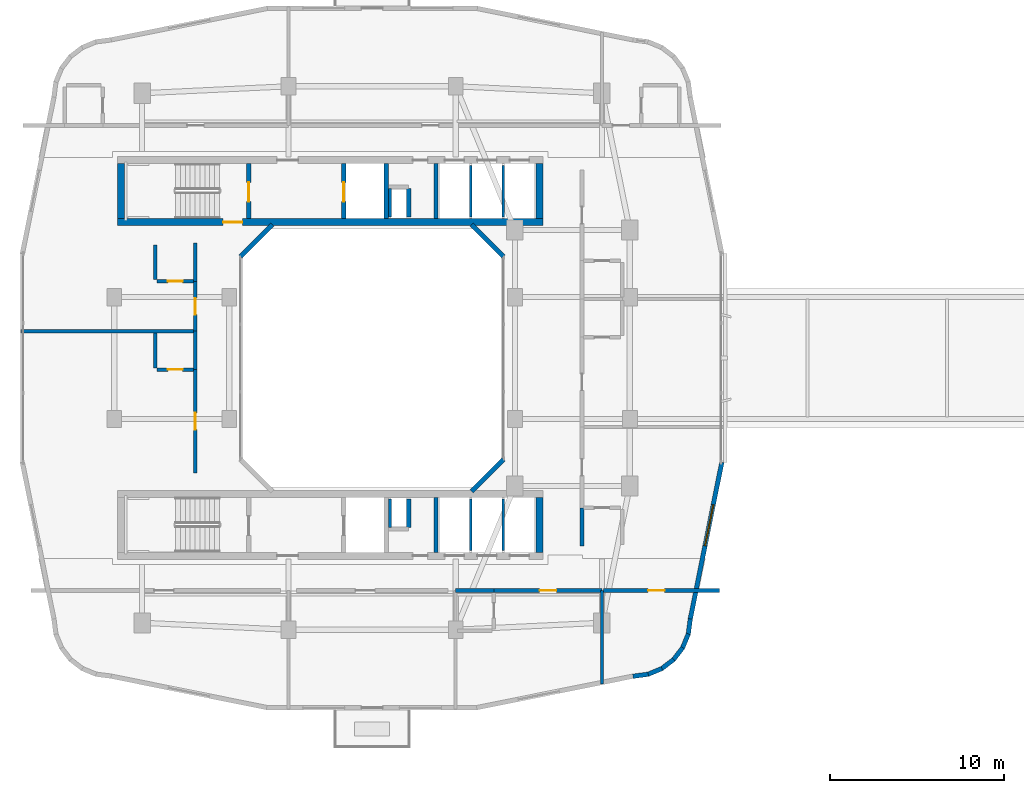
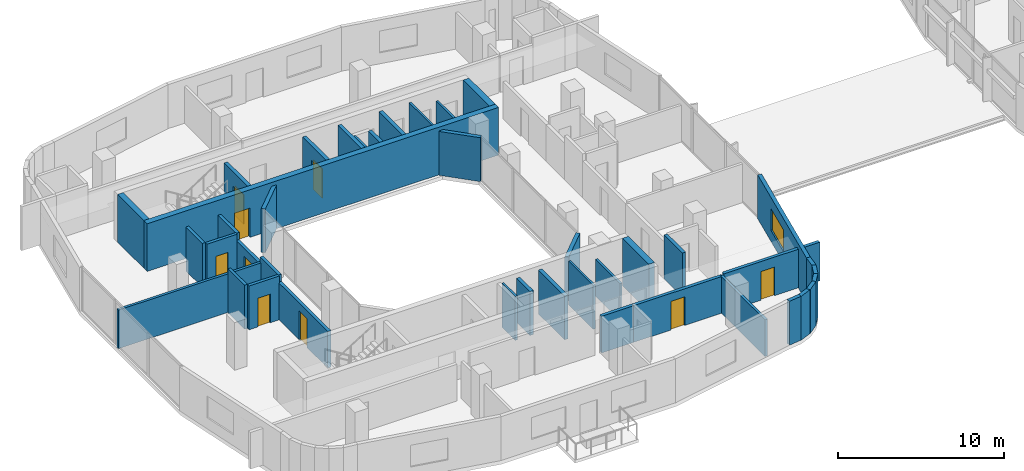
# One storey, part 9 of 22: 41 walls, 9 doors, 1 window, 10 openings.
"""IFC4 building model written with IfcOpenShell, lengths in metres."""

from ifc_helpers import new_model, si_unit, derived_unit, direction, frame, frame_2d, origin, place, context, subcontext, project, spatial, rectangle, extrude, material, layer, layer_set, type_object, element, fill, save


model = new_model("IFC4")

# Units and contexts
model_context = context("Model", 3, precision=1e-05, world=origin(), true_north=direction((0.0, 1.0)))
body_context = subcontext(model_context, "Body", "Model", "MODEL_VIEW")
ifc_project = project(units=[si_unit("LENGTHUNIT", "METRE"), si_unit("AREAUNIT", "SQUARE_METRE"), si_unit("VOLUMEUNIT", "CUBIC_METRE"), si_unit("PLANEANGLEUNIT", "RADIAN"), si_unit("MASSUNIT", "GRAM", prefix="KILO"), derived_unit("THERMALTRANSMITTANCEUNIT", [(si_unit("POWERUNIT", "WATT"), 1), (si_unit("LENGTHUNIT", "METRE"), -2), (si_unit("THERMODYNAMICTEMPERATUREUNIT", "KELVIN"), -1)])], contexts=[model_context])

# Site, building, storey
site_placement = place(None, origin())
site = spatial("IfcSite", under=ifc_project, at=site_placement, CompositionType="ELEMENT")
building_placement = place(site_placement, origin())
building = spatial("IfcBuilding", under=site, at=building_placement, Name="Kivonza Crest Hotel", CompositionType="ELEMENT")
storey_placement = place(building_placement, frame((0.0, 0.0, 124.0)))
storey = spatial("IfcBuildingStorey", under=building, at=storey_placement, Name="L33", CompositionType="ELEMENT", Elevation=124.0)

# Walls
ifc_material_1 = material(Name="High-density acoustic masonry inter-tenancy wall", Category="masonry")
ifc_layer_1 = layer(ifc_material_1, 0.179931640625)
ifc_layer_set_1 = layer_set([ifc_layer_1], Name="High-density acoustic masonry inter-tenancy wall")
wall_type_1 = type_object("IfcWallType", Name="WL-ACOU-180", PredefinedType="SOLIDWALL", material=ifc_layer_set_1)
wall_1_placement = place(storey_placement, frame((34.199951171875, 6.299072265625, 0.0), z_axis=(0.0, 0.0, 1.0), x_axis=(0.0, 1.0, 0.0)))
element("IfcWall", 1, at=wall_1_placement, inside=storey, type_object=wall_type_1, Name="L33 interior partition WA-L33-T1S-DIV3", PredefinedType="SOLIDWALL", context=body_context, shape_type="SweptSolid", body=[
    extrude(rectangle(XDim=5.350830078125, YDim=0.179931640625, at=frame_2d((2.67529296875, 0.0))), origin(), (0.0, 0.0, 1.0), 2.695068359375),
])
wall_2_placement = place(storey_placement, frame((0.860107421875, 26.5400390625, 0.0), z_axis=(0.0, 0.0, 1.0), x_axis=(1.0, 0.0, 0.0)))
element("IfcWall", 2, at=wall_2_placement, inside=storey, type_object=wall_type_1, Name="L33 interior partition WA-L33-T1W-DIV1", PredefinedType="SOLIDWALL", context=body_context, shape_type="SweptSolid", body=[
    extrude(rectangle(XDim=9.989990234375, YDim=0.179931640625, at=frame_2d((4.9951171875, 0.0))), origin(), (0.0, 0.0, 1.0), 2.8349609375),
])
ifc_material_2 = material(Name="Autoclaved aerated concrete blockwork", Category="masonry")
ifc_layer_2 = layer(ifc_material_2, 0.219970703125)
ifc_layer_set_2 = layer_set([ifc_layer_2], Name="Autoclaved aerated concrete blockwork")
wall_type_2 = type_object("IfcWallType", Name="WL-ACOU-220", PredefinedType="SOLIDWALL", material=ifc_layer_set_2)
wall_3_placement = place(storey_placement, frame((25.800048828125, 11.64990234375, 0.0), z_axis=(0.0, 0.0, 1.0), x_axis=(1.0, 0.0, 0.0)))
element("IfcWall", 3, at=wall_3_placement, inside=storey, type_object=wall_type_2, Name="L33 interior partition WA-L33-S03-BCORR", PredefinedType="SOLIDWALL", context=body_context, shape_type="SweptSolid", body=[
    extrude(rectangle(XDim=2.199951171875, YDim=0.219970703125, at=frame_2d((1.10009765625, 0.0))), origin(), (0.0, 0.0, 1.0), 2.695068359375),
])

# Wall, opening, door
wall_4_placement = place(storey_placement, frame((28.0, 11.64990234375, 0.0), z_axis=(0.0, 0.0, 1.0), x_axis=(1.0, 0.0, 0.0)))
wall_4 = element("IfcWall", 4, at=wall_4_placement, inside=storey, type_object=wall_type_2, Name="L33 interior partition WA-L33-S03-MCORR", PredefinedType="SOLIDWALL", context=body_context, shape_type="SweptSolid", body=[
    extrude(rectangle(XDim=6.199951171875, YDim=0.219970703125, at=frame_2d((3.10009765625, 0.0))), origin(), (0.0, 0.0, 1.0), 2.695068359375),
])
opening_1_placement = place(wall_4_placement, frame((2.625, 0.0, 0.0)))
opening_1 = element("IfcOpeningElement", 5, at=opening_1_placement, cuts=wall_4, Name="Opening DU-60", PredefinedType="OPENING", context=body_context, shape_type="SweptSolid", body=[
    extrude(rectangle(XDim=0.949951171875, YDim=2.10009765625, at=frame_2d((0.47509765625, 1.050048828125))), frame((0.0, 0.1201171875, 0.0), z_axis=(0.0, -1.0, 0.0), x_axis=(1.0, 0.0, 0.0)), (0.0, 0.0, 1.0), 0.239990234375),
])
ifc_material_3 = material(Name="Hardwood timber oak", Category="wood")
door_type_1 = type_object("IfcDoorType", Name="DR-UNIT-950", OperationType="NOTDEFINED", PredefinedType="DOOR", material=ifc_material_3)
door_1_placement = place(opening_1_placement, frame((0.949951171875, 0.0, 0.0), z_axis=(0.0, 0.0, 1.0), x_axis=(-1.0, 0.0, 0.0)))
door_1 = element("IfcDoor", 6, at=door_1_placement, inside=storey, type_object=door_type_1, Name="L33 S03 guest unit entrance fire door", OperationType="SINGLE_SWING_LEFT", OverallHeight=2.10009765625, OverallWidth=0.949951171875, PredefinedType="DOOR", context=body_context, shape_type="SweptSolid", body=[
    extrude(rectangle(XDim=0.949951171875, YDim=2.10009765625, at=frame_2d((0.47509765625, 1.050048828125))), frame((0.0, 0.02490234375, 0.0), z_axis=(0.0, -1.0, 0.0), x_axis=(1.0, 0.0, 0.0)), (0.0, 0.0, 1.0), 0.050048828125),
])
fill(opening_1, door_1)

wall_5_placement = place(storey_placement, frame((34.300048828125, 11.64990234375, 0.0), z_axis=(0.0, 0.0, 1.0), x_axis=(1.0, 0.0, 0.0)))
wall_5 = element("IfcWall", 7, at=wall_5_placement, inside=storey, type_object=wall_type_2, Name="L33 interior partition WA-L33-BUS-MTG-N", PredefinedType="SOLIDWALL", context=body_context, shape_type="SweptSolid", body=[
    extrude(rectangle(XDim=6.639892578125, YDim=0.219970703125, at=frame_2d((3.31982421875, 0.0))), origin(), (0.0, 0.0, 1.0), 2.8349609375),
])
opening_2_placement = place(wall_5_placement, frame((2.550048828125, 0.0, 0.0)))
opening_2 = element("IfcOpeningElement", 8, at=opening_2_placement, cuts=wall_5, Name="Opening DF-60S", PredefinedType="OPENING", context=body_context, shape_type="SweptSolid", body=[
    extrude(rectangle(XDim=0.949951171875, YDim=2.10009765625, at=frame_2d((0.47509765625, 1.050048828125))), frame((0.0, 0.1201171875, 0.0), z_axis=(0.0, -1.0, 0.0), x_axis=(1.0, 0.0, 0.0)), (0.0, 0.0, 1.0), 0.239990234375),
])
door_type_2 = type_object("IfcDoorType", Name="DR-FD60-950", OperationType="NOTDEFINED", PredefinedType="DOOR", material=ifc_material_3)
door_2_placement = place(opening_2_placement, frame((0.949951171875, 0.0, 0.0), z_axis=(0.0, 0.0, 1.0), x_axis=(-1.0, 0.0, 0.0)))
door_2 = element("IfcDoor", 9, at=door_2_placement, inside=storey, type_object=door_type_2, Name="L33 Executive Club Lounge door", OperationType="SINGLE_SWING_RIGHT", OverallHeight=2.10009765625, OverallWidth=0.949951171875, PredefinedType="DOOR", context=body_context, shape_type="SweptSolid", body=[
    extrude(rectangle(XDim=0.949951171875, YDim=2.10009765625, at=frame_2d((0.47509765625, 1.050048828125))), frame((0.0, 0.02490234375, 0.0), z_axis=(0.0, -1.0, 0.0), x_axis=(1.0, 0.0, 0.0)), (0.0, 0.0, 1.0), 0.050048828125),
])
fill(opening_2, door_2)

# Wall
wall_6_placement = place(storey_placement, frame((10.85009765625, 24.340087890625, 0.0), z_axis=(0.0, 0.0, 1.0), x_axis=(0.0, 1.0, 0.0)))
element("IfcWall", 10, at=wall_6_placement, inside=storey, type_object=wall_type_2, Name="L33 interior partition WA-L33-W04-BCORR", PredefinedType="SOLIDWALL", context=body_context, shape_type="SweptSolid", body=[
    extrude(rectangle(XDim=2.199951171875, YDim=0.219970703125, at=frame_2d((1.10009765625, 0.0))), origin(), (0.0, 0.0, 1.0), 3.219970703125),
])

# Wall, opening, door
wall_7_placement = place(storey_placement, frame((10.85009765625, 18.39990234375, 0.0), z_axis=(0.0, 0.0, 1.0), x_axis=(0.0, 1.0, 0.0)))
wall_7 = element("IfcWall", 11, at=wall_7_placement, inside=storey, type_object=wall_type_2, Name="L33 interior partition WA-L33-W04-MCORR", PredefinedType="SOLIDWALL", context=body_context, shape_type="SweptSolid", body=[
    extrude(rectangle(XDim=5.940185546875, YDim=0.219970703125, at=frame_2d((2.97021484375, 0.0))), origin(), (0.0, 0.0, 1.0), 2.695068359375),
])
opening_3_placement = place(wall_7_placement, frame((2.4951171875, 0.0, 0.0)))
opening_3 = element("IfcOpeningElement", 12, at=opening_3_placement, cuts=wall_7, Name="Opening DU-60", PredefinedType="OPENING", context=body_context, shape_type="SweptSolid", body=[
    extrude(rectangle(XDim=0.949951171875, YDim=2.10009765625, at=frame_2d((0.47509765625, 1.050048828125))), frame((0.0, 0.1201171875, 0.0), z_axis=(0.0, -1.0, 0.0), x_axis=(1.0, 0.0, 0.0)), (0.0, 0.0, 1.0), 0.239990234375),
])
door_3_placement = place(opening_3_placement, origin())
door_3 = element("IfcDoor", 13, at=door_3_placement, inside=storey, type_object=door_type_1, Name="L33 W04 guest unit entrance fire door", OperationType="SINGLE_SWING_RIGHT", OverallHeight=2.10009765625, OverallWidth=0.949951171875, PredefinedType="DOOR", context=body_context, shape_type="SweptSolid", body=[
    extrude(rectangle(XDim=0.949951171875, YDim=2.10009765625, at=frame_2d((0.47509765625, 1.050048828125))), frame((0.0, 0.02490234375, 0.0), z_axis=(0.0, -1.0, 0.0), x_axis=(1.0, 0.0, 0.0)), (0.0, 0.0, 1.0), 0.050048828125),
])
fill(opening_3, door_3)

# Wall
wall_8_placement = place(storey_placement, frame((10.85009765625, 29.39990234375, 0.0), z_axis=(0.0, 0.0, 1.0), x_axis=(0.0, 1.0, 0.0)))
element("IfcWall", 14, at=wall_8_placement, inside=storey, type_object=wall_type_2, Name="L33 interior partition WA-L33-W05-BCORR", PredefinedType="SOLIDWALL", context=body_context, shape_type="SweptSolid", body=[
    extrude(rectangle(XDim=2.2001953125, YDim=0.219970703125, at=frame_2d((1.10009765625, 0.0))), origin(), (0.0, 0.0, 1.0), 3.219970703125),
])

# Wall, opening, door
wall_9_placement = place(storey_placement, frame((10.85009765625, 26.5400390625, 0.0), z_axis=(0.0, 0.0, 1.0), x_axis=(0.0, 1.0, 0.0)))
wall_9 = element("IfcWall", 15, at=wall_9_placement, inside=storey, type_object=wall_type_2, Name="L33 interior partition WA-L33-W05-MCORR", PredefinedType="SOLIDWALL", context=body_context, shape_type="SweptSolid", body=[
    extrude(rectangle(XDim=2.85986328125, YDim=0.219970703125, at=frame_2d((1.429931640625, 0.0))), origin(), (0.0, 0.0, 1.0), 2.695068359375),
])
opening_4_placement = place(wall_9_placement, frame((0.955078125, 0.0, 0.0)))
opening_4 = element("IfcOpeningElement", 16, at=opening_4_placement, cuts=wall_9, Name="Opening DU-60", PredefinedType="OPENING", context=body_context, shape_type="SweptSolid", body=[
    extrude(rectangle(XDim=0.949951171875, YDim=2.10009765625, at=frame_2d((0.47509765625, 1.050048828125))), frame((0.0, 0.1201171875, 0.0), z_axis=(0.0, -1.0, 0.0), x_axis=(1.0, 0.0, 0.0)), (0.0, 0.0, 1.0), 0.239990234375),
])
door_4_placement = place(opening_4_placement, origin())
door_4 = element("IfcDoor", 17, at=door_4_placement, inside=storey, type_object=door_type_1, Name="L33 W05 guest unit entrance fire door", OperationType="SINGLE_SWING_LEFT", OverallHeight=2.10009765625, OverallWidth=0.949951171875, PredefinedType="DOOR", context=body_context, shape_type="SweptSolid", body=[
    extrude(rectangle(XDim=0.949951171875, YDim=2.10009765625, at=frame_2d((0.47509765625, 1.050048828125))), frame((0.0, 0.02490234375, 0.0), z_axis=(0.0, -1.0, 0.0), x_axis=(1.0, 0.0, 0.0)), (0.0, 0.0, 1.0), 0.050048828125),
])
fill(opening_4, door_4)

# Wall
wall_10_placement = place(storey_placement, frame((33.050048828125, 14.199951171875, 0.0), z_axis=(0.0, 0.0, 1.0), x_axis=(0.0, 1.0, 0.0)))
element("IfcWall", 18, at=wall_10_placement, inside=storey, type_object=wall_type_2, Name="L33 interior partition WA-L33-E06-BCORR", PredefinedType="SOLIDWALL", context=body_context, shape_type="SweptSolid", body=[
    extrude(rectangle(XDim=2.199951171875, YDim=0.219970703125, at=frame_2d((1.10009765625, 0.0))), origin(), (0.0, 0.0, 1.0), 3.219970703125),
])

# Wall, opening, door
ifc_material_4 = material(Name="Concrete C50/60", Category="concrete")
ifc_layer_3 = layer(ifc_material_4, 0.39990234375)
ifc_layer_set_3 = layer_set([ifc_layer_3], Name="Concrete C50/60")
wall_type_3 = type_object("IfcWallType", Name="WL-CORE-400", PredefinedType="SHEAR", material=ifc_layer_set_3)
wall_11_placement = place(storey_placement, frame((6.39990234375, 32.800048828125, 0.0), z_axis=(0.0, 0.0, 1.0), x_axis=(1.0, 0.0, 0.0)))
wall_11 = element("IfcWall", 19, at=wall_11_placement, inside=storey, type_object=wall_type_3, Name="Core wall T1-N South L33", PredefinedType="SHEAR", context=body_context, shape_type="SweptSolid", body=[
    extrude(rectangle(XDim=24.400146484375, YDim=0.39990234375, at=frame_2d((12.2001953125, 0.0))), origin(), (0.0, 0.0, 1.0), 3.5),
])
opening_5_placement = place(wall_11_placement, frame((6.050048828125, 0.0, 0.0)))
opening_5 = element("IfcOpeningElement", 20, at=opening_5_placement, cuts=wall_11, Name="Opening DF-120", PredefinedType="OPENING", context=body_context, shape_type="SweptSolid", body=[
    extrude(rectangle(XDim=1.10009765625, YDim=2.14990234375, at=frame_2d((0.550048828125, 1.074951171875))), frame((0.0, 0.2099609375, 0.0), z_axis=(0.0, -1.0, 0.0), x_axis=(1.0, 0.0, 0.0)), (0.0, 0.0, 1.0), 0.419921875),
])
ifc_material_5 = material(Name="Galvanised steel", Category="steel")
door_type_3 = type_object("IfcDoorType", Name="DR-FD120-1100", OperationType="NOTDEFINED", PredefinedType="DOOR", material=ifc_material_5)
door_5_placement = place(opening_5_placement, origin())
door_5 = element("IfcDoor", 21, at=door_5_placement, inside=storey, type_object=door_type_3, Name="L33 West corridor stair access fire door", OperationType="SINGLE_SWING_LEFT", OverallHeight=2.14990234375, OverallWidth=1.10009765625, PredefinedType="DOOR", context=body_context, shape_type="SweptSolid", body=[
    extrude(rectangle(XDim=1.10009765625, YDim=2.14990234375, at=frame_2d((0.550048828125, 1.074951171875))), frame((0.0, 0.02490234375, 0.0), z_axis=(0.0, -1.0, 0.0), x_axis=(1.0, 0.0, 0.0)), (0.0, 0.0, 1.0), 0.050048828125),
])
fill(opening_5, door_5)

# Walls
for number, where, z_axis, x_axis, name in (
    (22, (6.60009765625, 33.0, 0.0), (0.0, 0.0, 1.0), (0.0, 1.0, 0.0), "Core wall T1-N West L33"),
    (23, (30.60009765625, 33.0, 0.0), (0.0, 0.0, 1.0), (0.0, 1.0, 0.0), "Core wall T1-N East L33"),
    (24, (30.60009765625, 13.840087890625, 0.0), (0.0, 0.0, 1.0), (0.0, 1.0, 0.0), "Core wall T1-S East L33"),
):
    element("IfcWall", number, at=place(storey_placement, frame(where, z_axis=z_axis, x_axis=x_axis)), inside=storey, type_object=wall_type_3, Name=name, PredefinedType="SHEAR", context=body_context, shape_type="SweptSolid", body=[
        extrude(rectangle(XDim=3.159912109375, YDim=0.39990234375, at=frame_2d((1.580078125, 0.0))), origin(), (0.0, 0.0, 1.0), 3.5),
    ])
ifc_material_6 = material(Name="Precast concrete C40/50", Category="concrete")
ifc_layer_4 = layer(ifc_material_6, 0.260009765625)
ifc_layer_set_4 = layer_set([ifc_layer_4], Name="Precast concrete C40/50")
wall_type_4 = type_object("IfcWallType", Name="WL-EXT-260", PredefinedType="STANDARD", material=ifc_layer_set_4)
wall_12_placement = place(storey_placement, frame((35.97509765625, 6.72802734375, 0.0), z_axis=(0.0, 0.0, 1.0), x_axis=(0.991388484223, 0.130953706898, 0.0)))
element("IfcWall", 25, at=wall_12_placement, inside=storey, type_object=wall_type_4, Name="L33 T1 exterior insulated wall 10", PredefinedType="STANDARD", context=body_context, shape_type="SweptSolid", body=[
    extrude(rectangle(XDim=0.885498046875, YDim=0.260009765625, at=frame_2d((0.44287109375, 0.0))), origin(), (0.0, 0.0, 1.0), 3.219970703125),
])
wall_13_placement = place(storey_placement, frame((36.806884765625, 6.825927734375, 0.0), z_axis=(0.0, 0.0, 1.0), x_axis=(0.923627776508, 0.383290660547, 0.0)))
element("IfcWall", 26, at=wall_13_placement, inside=storey, type_object=wall_type_4, Name="L33 T1 exterior insulated wall 11", PredefinedType="STANDARD", context=body_context, shape_type="SweptSolid", body=[
    extrude(rectangle(XDim=0.9033203125, YDim=0.260009765625, at=frame_2d((0.45166015625, 0.0))), origin(), (0.0, 0.0, 1.0), 3.219970703125),
])
wall_14_placement = place(storey_placement, frame((37.60107421875, 7.14404296875, 0.0), z_axis=(0.0, 0.0, 1.0), x_axis=(0.793458244748, 0.608624690463, 0.0)))
element("IfcWall", 27, at=wall_14_placement, inside=storey, type_object=wall_type_4, Name="L33 T1 exterior insulated wall 12", PredefinedType="STANDARD", context=body_context, shape_type="SweptSolid", body=[
    extrude(rectangle(XDim=0.902099609375, YDim=0.260009765625, at=frame_2d((0.451171875, 0.0))), origin(), (0.0, 0.0, 1.0), 3.219970703125),
])
wall_15_placement = place(storey_placement, frame((38.285888671875, 7.655029296875, 0.0), z_axis=(0.0, 0.0, 1.0), x_axis=(0.608494022858, 0.793558456666, 0.0)))
element("IfcWall", 28, at=wall_15_placement, inside=storey, type_object=wall_type_4, Name="L33 T1 exterior insulated wall 13", PredefinedType="STANDARD", context=body_context, shape_type="SweptSolid", body=[
    extrude(rectangle(XDim=0.90234375, YDim=0.260009765625, at=frame_2d((0.451171875, 0.0))), origin(), (0.0, 0.0, 1.0), 3.219970703125),
])
wall_16_placement = place(storey_placement, frame((38.81396484375, 8.326904296875, 0.0), z_axis=(0.0, 0.0, 1.0), x_axis=(0.383155708213, 0.923683767999, 0.0)))
element("IfcWall", 29, at=wall_16_placement, inside=storey, type_object=wall_type_4, Name="L33 T1 exterior insulated wall 14", PredefinedType="STANDARD", context=body_context, shape_type="SweptSolid", body=[
    extrude(rectangle(XDim=0.90283203125, YDim=0.260009765625, at=frame_2d((0.451416015625, 0.0))), origin(), (0.0, 0.0, 1.0), 3.219970703125),
])
wall_17_placement = place(storey_placement, frame((39.152099609375, 9.112060546875, 0.0), z_axis=(0.0, 0.0, 1.0), x_axis=(0.130200706103, 0.991487658083, 0.0)))
element("IfcWall", 30, at=wall_17_placement, inside=storey, type_object=wall_type_4, Name="L33 T1 exterior insulated wall 15", PredefinedType="STANDARD", context=body_context, shape_type="SweptSolid", body=[
    extrude(rectangle(XDim=0.920654296875, YDim=0.260009765625, at=frame_2d((0.46044921875, 0.0))), origin(), (0.0, 0.0, 1.0), 3.219970703125),
])

# Wall, opening, window
wall_18_placement = place(storey_placement, frame((39.27099609375, 10.01806640625, 0.0), z_axis=(0.0, 0.0, 1.0), x_axis=(0.197435082048, 0.980315963543, 0.0)))
wall_18 = element("IfcWall", 31, at=wall_18_placement, inside=storey, type_object=wall_type_4, Name="L33 T1 exterior insulated wall 16", PredefinedType="STANDARD", context=body_context, shape_type="SweptSolid", body=[
    extrude(rectangle(XDim=9.1826171875, YDim=0.260009765625, at=frame_2d((4.59130859375, 0.0))), origin(), (0.0, 0.0, 1.0), 3.219970703125),
])
opening_6_placement = place(wall_18_placement, frame((4.285888671875, 0.0, 0.800048828125)))
opening_6 = element("IfcOpeningElement", 32, at=opening_6_placement, cuts=wall_18, Name="Opening WN-05", PredefinedType="OPENING", context=body_context, shape_type="SweptSolid", body=[
    extrude(rectangle(XDim=2.39990234375, YDim=1.60009765625, at=frame_2d((1.199951171875, 0.800048828125))), frame((0.0, 0.14013671875, 0.0), z_axis=(0.0, -1.0, 0.0), x_axis=(1.0, 0.0, 0.0)), (0.0, 0.0, 1.0), 0.280029296875),
])
ifc_material_7 = material(Name="Thermally broken bronze aluminium and low-E double glazing", Category="aluminium")
window_type = type_object("IfcWindowType", Name="WN-240x160", PartitioningType="TRIPLE_PANEL_VERTICAL", PredefinedType="WINDOW", material=ifc_material_7)
window_placement = place(opening_6_placement, origin())
window = element("IfcWindow", 33, at=window_placement, inside=storey, type_object=window_type, Name="L33 T1 facade window 16", OverallHeight=1.60009765625, OverallWidth=2.39990234375, PartitioningType="SINGLE_PANEL", PredefinedType="WINDOW", context=body_context, shape_type="SweptSolid", body=[
    extrude(rectangle(XDim=2.39990234375, YDim=1.60009765625, at=frame_2d((1.199951171875, 0.800048828125))), frame((0.0, 0.030029296875, 0.0), z_axis=(0.0, -1.0, 0.0), x_axis=(1.0, 0.0, 0.0)), (0.0, 0.0, 1.0), 0.06005859375),
])
fill(opening_6, window)

# Walls
for number, where, z_axis, x_axis, name in (
    (34, (26.721923828125, 17.337890625, 0.0), (0.0, 0.0, 1.0), (0.707059717605, 0.707153841636, 0.0), "L33 T1 light-well exterior wall 2"),
    (35, (28.555908203125, 30.827880859375, 0.0), (0.0, 0.0, 1.0), (-0.707059717605, 0.707153841636, 0.0), "L33 T1 light-well exterior wall 4"),
    (36, (15.278076171875, 32.662109375, 0.0), (0.0, 0.0, 1.0), (-0.707059717605, -0.707153841636, 0.0), "L33 T1 light-well exterior wall 6"),
):
    element("IfcWall", number, at=place(storey_placement, frame(where, z_axis=z_axis, x_axis=x_axis)), inside=storey, type_object=wall_type_4, Name=name, PredefinedType="STANDARD", context=body_context, shape_type="SweptSolid", body=[
        extrude(rectangle(XDim=2.59375, YDim=0.260009765625, at=frame_2d((1.296875, 0.0))), origin(), (0.0, 0.0, 1.0), 3.219970703125),
    ])
ifc_material_8 = material(Name="Concrete blockwork fire-compartment wall", Category="masonry")
ifc_layer_5 = layer(ifc_material_8, 0.25)
ifc_layer_set_5 = layer_set([ifc_layer_5], Name="Concrete blockwork fire-compartment wall")
wall_type_5 = type_object("IfcWallType", Name="WL-FIRE-250", PredefinedType="SOLIDWALL", material=ifc_layer_set_5)
for number, where, z_axis, x_axis, name in (
    (37, (23.10009765625, 33.10009765625, 0.0), (0.0, 0.0, 1.0), (0.0, 1.0, 0.0), "L33 interior partition WA-L33-T1-N-MEPR-E"),
    (38, (23.10009765625, 15.280029296875, 0.0), (0.0, 0.0, 1.0), (0.0, 1.0, 0.0), "L33 interior partition WA-L33-T1-S-MEPR-E"),
):
    element("IfcWall", number, at=place(storey_placement, frame(where, z_axis=z_axis, x_axis=x_axis)), inside=storey, type_object=wall_type_5, Name=name, PredefinedType="SOLIDWALL", context=body_context, shape_type="SweptSolid", body=[
        extrude(rectangle(XDim=1.619873046875, YDim=0.25, at=frame_2d((0.81005859375, 0.0))), origin(), (0.0, 0.0, 1.0), 3.219970703125),
    ])
ifc_material_9 = material(Name="Twin-stud acoustic gypsum board partition", Category="gypsum")
ifc_layer_6 = layer(ifc_material_9, 0.14990234375)
ifc_layer_set_6 = layer_set([ifc_layer_6], Name="Twin-stud acoustic gypsum board partition")
wall_type_6 = type_object("IfcWallType", Name="WL-PART-150", PredefinedType="PARTITIONING", material=ifc_layer_set_6)
wall_19_placement = place(storey_placement, frame((22.030029296875, 33.10009765625, 0.0), z_axis=(0.0, 0.0, 1.0), x_axis=(0.0, 1.0, 0.0)))
element("IfcWall", 39, at=wall_19_placement, inside=storey, type_object=wall_type_6, Name="L33 interior partition WA-L33-T1-N-MEPR-W", PredefinedType="PARTITIONING", context=body_context, shape_type="SweptSolid", body=[
    extrude(rectangle(XDim=1.619873046875, YDim=0.14990234375, at=frame_2d((0.81005859375, 0.0))), origin(), (0.0, 0.0, 1.0), 3.219970703125),
])
wall_20_placement = place(storey_placement, frame((26.6669921875, 33.10009765625, 0.0), z_axis=(0.0, 0.0, 1.0), x_axis=(0.0, 1.0, 0.0)))
element("IfcWall", 40, at=wall_20_placement, inside=storey, type_object=wall_type_6, Name="L33 interior partition WP-L33-T1-N-BSH-1", PredefinedType="PARTITIONING", context=body_context, shape_type="SweptSolid", body=[
    extrude(rectangle(XDim=2.9599609375, YDim=0.14990234375, at=frame_2d((1.47998046875, 0.0))), origin(), (0.0, 0.0, 1.0), 3.219970703125),
])
wall_21_placement = place(storey_placement, frame((28.532958984375, 33.10009765625, 0.0), z_axis=(0.0, 0.0, 1.0), x_axis=(0.0, 1.0, 0.0)))
element("IfcWall", 41, at=wall_21_placement, inside=storey, type_object=wall_type_6, Name="L33 interior partition WP-L33-T1-N-BSH-2", PredefinedType="PARTITIONING", context=body_context, shape_type="SweptSolid", body=[
    extrude(rectangle(XDim=2.9599609375, YDim=0.14990234375, at=frame_2d((1.47998046875, 0.0))), origin(), (0.0, 0.0, 1.0), 2.695068359375),
])
wall_22_placement = place(storey_placement, frame((22.030029296875, 15.280029296875, 0.0), z_axis=(0.0, 0.0, 1.0), x_axis=(0.0, 1.0, 0.0)))
element("IfcWall", 42, at=wall_22_placement, inside=storey, type_object=wall_type_6, Name="L33 interior partition WA-L33-T1-S-MEPR-W", PredefinedType="PARTITIONING", context=body_context, shape_type="SweptSolid", body=[
    extrude(rectangle(XDim=1.619873046875, YDim=0.14990234375, at=frame_2d((0.81005859375, 0.0))), origin(), (0.0, 0.0, 1.0), 3.219970703125),
])
wall_23_placement = place(storey_placement, frame((26.6669921875, 13.93994140625, 0.0), z_axis=(0.0, 0.0, 1.0), x_axis=(0.0, 1.0, 0.0)))
element("IfcWall", 43, at=wall_23_placement, inside=storey, type_object=wall_type_6, Name="L33 interior partition WP-L33-T1-S-BSH-1", PredefinedType="PARTITIONING", context=body_context, shape_type="SweptSolid", body=[
    extrude(rectangle(XDim=2.9599609375, YDim=0.14990234375, at=frame_2d((1.47998046875, 0.0))), origin(), (0.0, 0.0, 1.0), 3.219970703125),
])
wall_24_placement = place(storey_placement, frame((28.532958984375, 13.93994140625, 0.0), z_axis=(0.0, 0.0, 1.0), x_axis=(0.0, 1.0, 0.0)))
element("IfcWall", 44, at=wall_24_placement, inside=storey, type_object=wall_type_6, Name="L33 interior partition WP-L33-T1-S-BSH-2", PredefinedType="PARTITIONING", context=body_context, shape_type="SweptSolid", body=[
    extrude(rectangle(XDim=2.9599609375, YDim=0.14990234375, at=frame_2d((1.47998046875, 0.0))), origin(), (0.0, 0.0, 1.0), 2.695068359375),
])

# Wall, opening, door
ifc_material_10 = material(Name="Moisture-resistant plumbing chase partition wall", Category="gypsum")
ifc_layer_7 = layer(ifc_material_10, 0.199951171875)
ifc_layer_set_7 = layer_set([ifc_layer_7], Name="Moisture-resistant plumbing chase partition wall")
wall_type_7 = type_object("IfcWallType", Name="WL-PLUMB-200", PredefinedType="PLUMBINGWALL", material=ifc_layer_set_7)
wall_25_placement = place(storey_placement, frame((8.64990234375, 24.340087890625, 0.0), z_axis=(0.0, 0.0, 1.0), x_axis=(1.0, 0.0, 0.0)))
wall_25 = element("IfcWall", 45, at=wall_25_placement, inside=storey, type_object=wall_type_7, Name="L33 interior partition WW-L33-W04-BH", PredefinedType="PLUMBINGWALL", context=body_context, shape_type="SweptSolid", body=[
    extrude(rectangle(XDim=2.10009765625, YDim=0.199951171875, at=frame_2d((1.050048828125, 0.0))), origin(), (0.0, 0.0, 1.0), 3.219970703125),
])
opening_7_placement = place(wall_25_placement, frame((0.625, 0.0, 0.0)))
opening_7 = element("IfcOpeningElement", 46, at=opening_7_placement, cuts=wall_25, Name="Opening DI-85", PredefinedType="OPENING", context=body_context, shape_type="SweptSolid", body=[
    extrude(rectangle(XDim=0.85009765625, YDim=2.10009765625, at=frame_2d((0.425048828125, 1.050048828125))), frame((0.0, 0.10986328125, 0.0), z_axis=(0.0, -1.0, 0.0), x_axis=(1.0, 0.0, 0.0)), (0.0, 0.0, 1.0), 0.219970703125),
])
door_type_4 = type_object("IfcDoorType", Name="DR-INT-850", OperationType="NOTDEFINED", PredefinedType="DOOR", material=ifc_material_3)
door_6_placement = place(opening_7_placement, frame((0.85009765625, 0.0, 0.0), z_axis=(0.0, 0.0, 1.0), x_axis=(-1.0, 0.0, 0.0)))
door_6 = element("IfcDoor", 47, at=door_6_placement, inside=storey, type_object=door_type_4, Name="L33 W04 en-suite bathroom door", OperationType="SINGLE_SWING_LEFT", OverallHeight=2.10009765625, OverallWidth=0.85009765625, PredefinedType="DOOR", context=body_context, shape_type="SweptSolid", body=[
    extrude(rectangle(XDim=0.85009765625, YDim=2.10009765625, at=frame_2d((0.425048828125, 1.050048828125))), frame((0.0, 0.02490234375, 0.0), z_axis=(0.0, -1.0, 0.0), x_axis=(1.0, 0.0, 0.0)), (0.0, 0.0, 1.0), 0.050048828125),
])
fill(opening_7, door_6)

# Wall
wall_26_placement = place(storey_placement, frame((8.550048828125, 24.43994140625, 0.0), z_axis=(0.0, 0.0, 1.0), x_axis=(0.0, 1.0, 0.0)))
element("IfcWall", 48, at=wall_26_placement, inside=storey, type_object=wall_type_7, Name="L33 interior partition WW-L33-W04-BV", PredefinedType="PLUMBINGWALL", context=body_context, shape_type="SweptSolid", body=[
    extrude(rectangle(XDim=2.0, YDim=0.199951171875, at=frame_2d((1.0, 0.0))), origin(), (0.0, 0.0, 1.0), 3.219970703125),
])

# Wall, opening, door
wall_27_placement = place(storey_placement, frame((8.64990234375, 29.39990234375, 0.0), z_axis=(0.0, 0.0, 1.0), x_axis=(1.0, 0.0, 0.0)))
wall_27 = element("IfcWall", 49, at=wall_27_placement, inside=storey, type_object=wall_type_7, Name="L33 interior partition WW-L33-W05-BH", PredefinedType="PLUMBINGWALL", context=body_context, shape_type="SweptSolid", body=[
    extrude(rectangle(XDim=2.10009765625, YDim=0.199951171875, at=frame_2d((1.050048828125, 0.0))), origin(), (0.0, 0.0, 1.0), 3.219970703125),
])
opening_8_placement = place(wall_27_placement, frame((0.625, 0.0, 0.0)))
opening_8 = element("IfcOpeningElement", 50, at=opening_8_placement, cuts=wall_27, Name="Opening DI-85", PredefinedType="OPENING", context=body_context, shape_type="SweptSolid", body=[
    extrude(rectangle(XDim=0.85009765625, YDim=2.10009765625, at=frame_2d((0.425048828125, 1.050048828125))), frame((0.0, 0.10986328125, 0.0), z_axis=(0.0, -1.0, 0.0), x_axis=(1.0, 0.0, 0.0)), (0.0, 0.0, 1.0), 0.219970703125),
])
door_7_placement = place(opening_8_placement, frame((0.85009765625, 0.0, 0.0), z_axis=(0.0, 0.0, 1.0), x_axis=(-1.0, 0.0, 0.0)))
door_7 = element("IfcDoor", 51, at=door_7_placement, inside=storey, type_object=door_type_4, Name="L33 W05 en-suite bathroom door", OperationType="SINGLE_SWING_RIGHT", OverallHeight=2.10009765625, OverallWidth=0.85009765625, PredefinedType="DOOR", context=body_context, shape_type="SweptSolid", body=[
    extrude(rectangle(XDim=0.85009765625, YDim=2.10009765625, at=frame_2d((0.425048828125, 1.050048828125))), frame((0.0, 0.02490234375, 0.0), z_axis=(0.0, -1.0, 0.0), x_axis=(1.0, 0.0, 0.0)), (0.0, 0.0, 1.0), 0.050048828125),
])
fill(opening_8, door_7)

# Wall
wall_28_placement = place(storey_placement, frame((8.550048828125, 29.5, 0.0), z_axis=(0.0, 0.0, 1.0), x_axis=(0.0, 1.0, 0.0)))
element("IfcWall", 52, at=wall_28_placement, inside=storey, type_object=wall_type_7, Name="L33 interior partition WW-L33-W05-BV", PredefinedType="PLUMBINGWALL", context=body_context, shape_type="SweptSolid", body=[
    extrude(rectangle(XDim=2.0, YDim=0.199951171875, at=frame_2d((1.0, 0.0))), origin(), (0.0, 0.0, 1.0), 3.219970703125),
])

# Wall, opening, door
ifc_layer_8 = layer(ifc_material_4, 0.25)
ifc_layer_set_8 = layer_set([ifc_layer_8], Name="Concrete C50/60")
wall_type_8 = type_object("IfcWallType", Name="WL-SHAFT-250", PredefinedType="STANDARD", material=ifc_layer_set_8)
wall_29_placement = place(storey_placement, frame((13.925048828125, 33.0, 0.0), z_axis=(0.0, 0.0, 1.0), x_axis=(0.0, 1.0, 0.0)))
wall_29 = element("IfcWall", 53, at=wall_29_placement, inside=storey, type_object=wall_type_8, Name="Core shaft wall T1-N STAIR L33", PredefinedType="STANDARD", context=body_context, shape_type="SweptSolid", body=[
    extrude(rectangle(XDim=3.159912109375, YDim=0.25, at=frame_2d((1.580078125, 0.0))), origin(), (0.0, 0.0, 1.0), 3.219970703125),
])
opening_9_placement = place(wall_29_placement, frame((0.97998046875, 0.0, 0.0)))
opening_9 = element("IfcOpeningElement", 54, at=opening_9_placement, cuts=wall_29, Name="Opening DF-120", PredefinedType="OPENING", context=body_context, shape_type="SweptSolid", body=[
    extrude(rectangle(XDim=1.10009765625, YDim=2.14990234375, at=frame_2d((0.550048828125, 1.074951171875))), frame((0.0, 0.135009765625, 0.0), z_axis=(0.0, -1.0, 0.0), x_axis=(1.0, 0.0, 0.0)), (0.0, 0.0, 1.0), 0.27001953125),
])
door_8_placement = place(opening_9_placement, frame((1.10009765625, 0.0, 0.0), z_axis=(0.0, 0.0, 1.0), x_axis=(-1.0, 0.0, 0.0)))
door_8 = element("IfcDoor", 55, at=door_8_placement, inside=storey, type_object=door_type_3, Name="L33 T1-N stair fire door", OperationType="SINGLE_SWING_LEFT", OverallHeight=2.14990234375, OverallWidth=1.10009765625, PredefinedType="DOOR", context=body_context, shape_type="SweptSolid", body=[
    extrude(rectangle(XDim=1.10009765625, YDim=2.14990234375, at=frame_2d((0.550048828125, 1.074951171875))), frame((0.0, 0.02490234375, 0.0), z_axis=(0.0, -1.0, 0.0), x_axis=(1.0, 0.0, 0.0)), (0.0, 0.0, 1.0), 0.050048828125),
])
fill(opening_9, door_8)

wall_30_placement = place(storey_placement, frame((19.375, 33.0, 0.0), z_axis=(0.0, 0.0, 1.0), x_axis=(0.0, 1.0, 0.0)))
wall_30 = element("IfcWall", 56, at=wall_30_placement, inside=storey, type_object=wall_type_8, Name="Core shaft wall T1-N FFL-W L33", PredefinedType="STANDARD", context=body_context, shape_type="SweptSolid", body=[
    extrude(rectangle(XDim=3.159912109375, YDim=0.25, at=frame_2d((1.580078125, 0.0))), origin(), (0.0, 0.0, 1.0), 3.219970703125),
])
opening_10_placement = place(wall_30_placement, frame((0.97998046875, 0.0, 0.0)))
opening_10 = element("IfcOpeningElement", 57, at=opening_10_placement, cuts=wall_30, Name="Opening LD-120", PredefinedType="OPENING", context=body_context, shape_type="SweptSolid", body=[
    extrude(rectangle(XDim=1.10009765625, YDim=2.14990234375, at=frame_2d((0.550048828125, 1.074951171875))), frame((0.0, 0.135009765625, 0.0), z_axis=(0.0, -1.0, 0.0), x_axis=(1.0, 0.0, 0.0)), (0.0, 0.0, 1.0), 0.27001953125),
])
ifc_material_11 = material(Name="Stainless steel", Category="steel")
door_type_5 = type_object("IfcDoorType", Name="DR-LD120-1100", OperationType="NOTDEFINED", PredefinedType="DOOR", material=ifc_material_11)
door_9_placement = place(opening_10_placement, origin())
door_9 = element("IfcDoor", 58, at=door_9_placement, inside=storey, type_object=door_type_5, Name="L33 FFL-T1-N firefighting lift sliding landing door", OperationType="DOUBLE_DOOR_SLIDING", OverallHeight=2.14990234375, OverallWidth=1.10009765625, PredefinedType="DOOR", context=body_context, shape_type="SweptSolid", body=[
    extrude(rectangle(XDim=1.10009765625, YDim=2.14990234375, at=frame_2d((0.550048828125, 1.074951171875))), frame((0.0, 0.02490234375, 0.0), z_axis=(0.0, -1.0, 0.0), x_axis=(1.0, 0.0, 0.0)), (0.0, 0.0, 1.0), 0.050048828125),
])
fill(opening_10, door_9)

# Walls
for number, where, z_axis, x_axis, name in (
    (59, (21.824951171875, 33.0, 0.0), (0.0, 0.0, 1.0), (0.0, 1.0, 0.0), "Core shaft wall T1-N FFL-E L33"),
    (60, (24.675048828125, 33.0, 0.0), (0.0, 0.0, 1.0), (0.0, 1.0, 0.0), "Core shaft wall T1-N BANK-W L33"),
    (61, (24.675048828125, 13.840087890625, 0.0), (0.0, 0.0, 1.0), (0.0, 1.0, 0.0), "Core shaft wall T1-S BANK-W L33"),
):
    element("IfcWall", number, at=place(storey_placement, frame(where, z_axis=z_axis, x_axis=x_axis)), inside=storey, type_object=wall_type_8, Name=name, PredefinedType="STANDARD", context=body_context, shape_type="SweptSolid", body=[
        extrude(rectangle(XDim=3.159912109375, YDim=0.25, at=frame_2d((1.580078125, 0.0))), origin(), (0.0, 0.0, 1.0), 3.219970703125),
    ])

save(model, "model.ifc")
